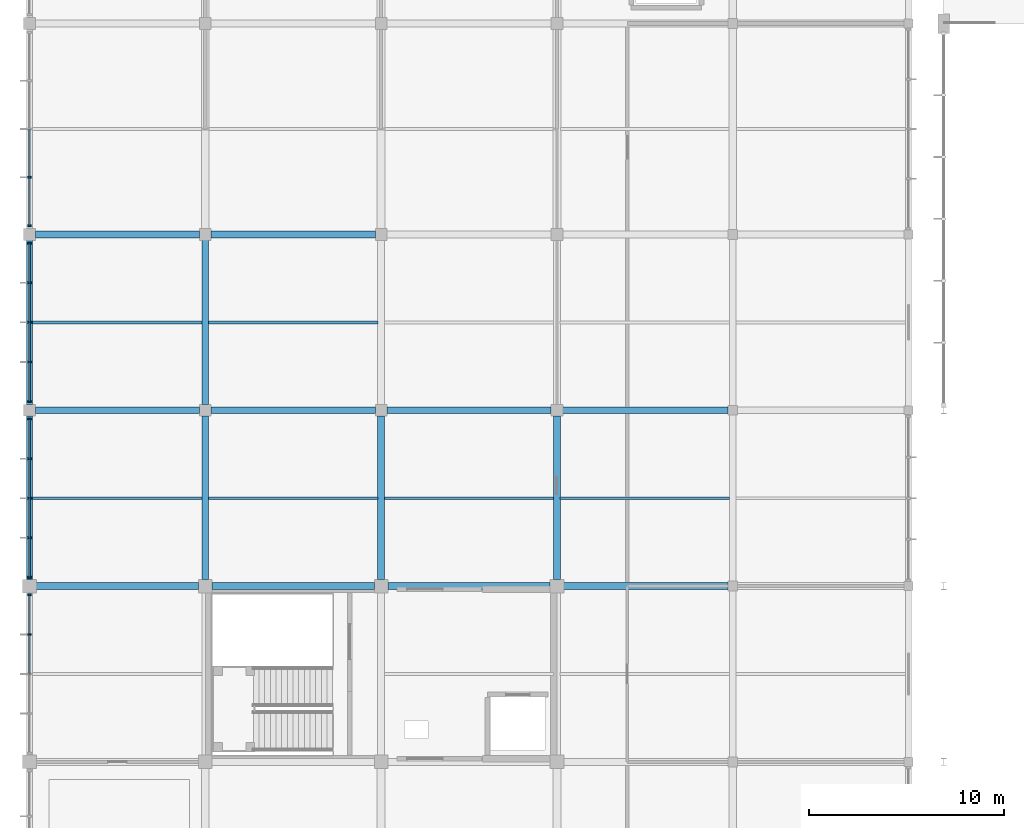
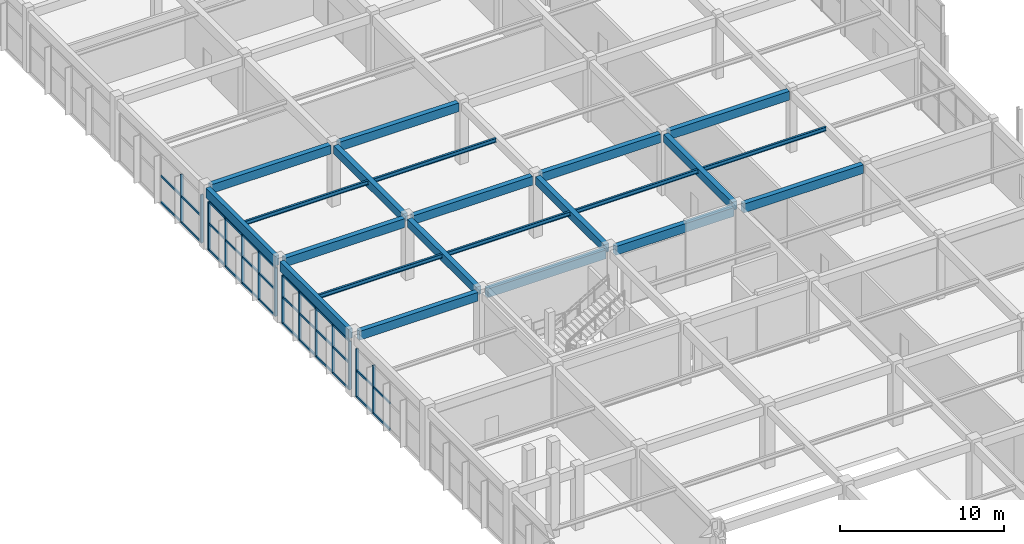
# One storey, part 20 of 74: 40 members, 22 beams, 4 elements without a shape of their own.
"""IFC4 building model written with IfcOpenShell, lengths in metres."""

from ifc_helpers import new_model, si_unit, direction, frame, origin, origin_2d, place, context, subcontext, project, spatial, rectangle, i_section, extrude, material, material_profile, profile_set, type_object, element, aggregate, save


model = new_model("IFC4")

# Units and contexts
model_context = context("Model", 3, precision=1e-05, world=origin(), true_north=direction((0.0, 1.0)))
body_context = subcontext(model_context, "Body", "Model", "MODEL_VIEW")
ifc_project = project(units=[si_unit("LENGTHUNIT", "METRE"), si_unit("AREAUNIT", "SQUARE_METRE"), si_unit("VOLUMEUNIT", "CUBIC_METRE"), si_unit("PLANEANGLEUNIT", "RADIAN"), si_unit("MASSUNIT", "GRAM", prefix="KILO")], contexts=[model_context])

# Site, building, storey
site_placement = place(None, origin())
site = spatial("IfcSite", under=ifc_project, at=site_placement, CompositionType="ELEMENT")
building_placement = place(site_placement, origin())
building = spatial("IfcBuilding", under=site, at=building_placement, Name="Suirenkawa Promenade Aquatics Centre", CompositionType="ELEMENT")
storey_placement = place(building_placement, frame((0.0, 0.0, 4.800048828125)))
storey = spatial("IfcBuildingStorey", under=building, at=storey_placement, Name="L01", CompositionType="ELEMENT", Elevation=4.800048828125)

# Beams
ifc_material_1 = material(Name="Steel IS 2062 E350 (Grade 350)", Category="steel")
ifc_material_profile_1 = material_profile(ifc_material_1, i_section(OverallWidth=0.139892578125, OverallDepth=0.300048828125, WebThickness=0.008056640625, FlangeThickness=0.012939453125, at=origin_2d()), Name="ISMB 300", Category="steel")
ifc_profile_set_1 = profile_set([ifc_material_profile_1], Name="Steel IS 2062 E350 (Grade 350)")
beam_type_1 = type_object("IfcBeamType", Name="BT-JOIST-ISMB300", PredefinedType="JOIST", material=ifc_profile_set_1)
for number, where, z_axis, x_axis, name in (
    (1, (0.14404296875, 72.89990234375, 4.387939453125), (1.0, 0.0, 0.0), (0.0, 1.0, 0.0), "Secondary floor joist JS-02 BM-0527"),
    (2, (0.14404296875, 81.89990234375, 4.387939453125), (1.0, 0.0, 0.0), (0.0, 1.0, 0.0), "Secondary floor joist JS-02 BM-0528"),
):
    element("IfcBeam", number, at=place(storey_placement, frame(where, z_axis=z_axis, x_axis=x_axis)), inside=storey, type_object=beam_type_1, Name=name, PredefinedType="JOIST", context=body_context, shape_type="SweptSolid", body=[
        extrude(i_section(OverallWidth=0.139892578125, OverallDepth=0.300048828125, WebThickness=0.008056640625, FlangeThickness=0.012939453125, at=origin_2d()), origin(), (0.0, 0.0, 1.0), 8.68701171875),
    ])
for number, where, z_axis, x_axis, name in (
    (3, (9.1689453125, 72.89990234375, 4.387939453125), (1.0, 0.0, 0.0), (0.0, 1.0, 0.0), "Secondary floor joist JS-02 BM-0537"),
    (4, (9.1689453125, 81.89990234375, 4.387939453125), (1.0, 0.0, 0.0), (0.0, 1.0, 0.0), "Secondary floor joist JS-02 BM-0538"),
    (5, (18.1689453125, 72.89990234375, 4.387939453125), (1.0, 0.0, 0.0), (0.0, 1.0, 0.0), "Secondary floor joist JS-02 BM-0549"),
    (6, (27.1689453125, 72.89990234375, 4.387939453125), (1.0, 0.0, 0.0), (0.0, 1.0, 0.0), "Secondary floor joist JS-02 BM-0561"),
):
    element("IfcBeam", number, at=place(storey_placement, frame(where, z_axis=z_axis, x_axis=x_axis)), inside=storey, type_object=beam_type_1, Name=name, PredefinedType="JOIST", context=body_context, shape_type="SweptSolid", body=[
        extrude(i_section(OverallWidth=0.139892578125, OverallDepth=0.300048828125, WebThickness=0.008056640625, FlangeThickness=0.012939453125, at=origin_2d()), origin(), (0.0, 0.0, 1.0), 8.662109375),
    ])
ifc_material_2 = material(Name="Concrete M35", Category="concrete")
ifc_material_profile_2 = material_profile(ifc_material_2, rectangle(XDim=0.35009765625, YDim=0.60009765625, at=origin_2d()), Name="RC BM 350x600", Category="concrete")
ifc_profile_set_2 = profile_set([ifc_material_profile_2], Name="Concrete M35")
beam_type_2 = type_object("IfcBeamType", Name="BT-RC-350x600", PredefinedType="BEAM", material=ifc_profile_set_2)
beam_1_placement = place(storey_placement, frame((9.0, 68.743896484375, 4.239990234375), z_axis=(0.0, 1.0, 0.0), x_axis=(-1.0, 0.0, 0.0)))
element("IfcBeam", 7, at=beam_1_placement, inside=storey, type_object=beam_type_2, Name="Floor beam BM-02 BM-0469", PredefinedType="BEAM", context=body_context, shape_type="SweptSolid", body=[
    extrude(rectangle(XDim=0.35009765625, YDim=0.60009765625, at=origin_2d()), origin(), (0.0, 0.0, 1.0), 8.362060546875),
])
beam_2_placement = place(storey_placement, frame((9.0, 77.694091796875, 4.239990234375), z_axis=(0.0, 1.0, 0.0), x_axis=(-1.0, 0.0, 0.0)))
element("IfcBeam", 8, at=beam_2_placement, inside=storey, type_object=beam_type_2, Name="Floor beam BM-02 BM-0470", PredefinedType="BEAM", context=body_context, shape_type="SweptSolid", body=[
    extrude(rectangle(XDim=0.35009765625, YDim=0.60009765625, at=origin_2d()), origin(), (0.0, 0.0, 1.0), 8.411865234375),
])
for number, where, z_axis, x_axis, name in (
    (9, (18.0, 68.743896484375, 4.239990234375), (0.0, 1.0, 0.0), (-1.0, 0.0, 0.0), "Floor beam BM-02 BM-0481"),
    (10, (27.0, 68.743896484375, 4.239990234375), (0.0, 1.0, 0.0), (-1.0, 0.0, 0.0), "Floor beam BM-02 BM-0493"),
):
    element("IfcBeam", number, at=place(storey_placement, frame(where, z_axis=z_axis, x_axis=x_axis)), inside=storey, type_object=beam_type_2, Name=name, PredefinedType="BEAM", context=body_context, shape_type="SweptSolid", body=[
        extrude(rectangle(XDim=0.35009765625, YDim=0.60009765625, at=origin_2d()), origin(), (0.0, 0.0, 1.0), 8.362060546875),
    ])
ifc_material_profile_3 = material_profile(ifc_material_2, rectangle(XDim=0.35009765625, YDim=0.64990234375, at=origin_2d()), Name="RC BM 350x650", Category="concrete")
ifc_profile_set_3 = profile_set([ifc_material_profile_3], Name="Concrete M35")
beam_type_3 = type_object("IfcBeamType", Name="BT-RC-350x650", PredefinedType="BEAM", material=ifc_profile_set_3)
for number, where, z_axis, x_axis, name in (
    (11, (0.343994140625, 68.39990234375, 4.21484375), (1.0, 0.0, 0.0), (0.0, 1.0, 0.0), "Floor beam BM-03 BM-0420"),
    (12, (9.343994140625, 68.39990234375, 4.21484375), (1.0, 0.0, 0.0), (0.0, 1.0, 0.0), "Floor beam BM-03 BM-0421"),
    (13, (18.343994140625, 68.39990234375, 4.21484375), (1.0, 0.0, 0.0), (0.0, 1.0, 0.0), "Floor beam BM-03 BM-0422"),
):
    element("IfcBeam", number, at=place(storey_placement, frame(where, z_axis=z_axis, x_axis=x_axis)), inside=storey, type_object=beam_type_3, Name=name, PredefinedType="BEAM", context=body_context, shape_type="SweptSolid", body=[
        extrude(rectangle(XDim=0.35009765625, YDim=0.64990234375, at=origin_2d()), origin(), (0.0, 0.0, 1.0), 8.31201171875),
    ])
for number, where, z_axis, x_axis, name in (
    (14, (27.343994140625, 68.39990234375, 4.21484375), (1.0, 0.0, 0.0), (0.0, 1.0, 0.0), "Floor beam BM-03 BM-0423"),
    (15, (0.2939453125, 77.39990234375, 4.21484375), (1.0, 0.0, 0.0), (0.0, 1.0, 0.0), "Floor beam BM-03 BM-0425"),
    (16, (9.2939453125, 77.39990234375, 4.21484375), (1.0, 0.0, 0.0), (0.0, 1.0, 0.0), "Floor beam BM-03 BM-0426"),
    (17, (18.2939453125, 77.39990234375, 4.21484375), (1.0, 0.0, 0.0), (0.0, 1.0, 0.0), "Floor beam BM-03 BM-0427"),
):
    element("IfcBeam", number, at=place(storey_placement, frame(where, z_axis=z_axis, x_axis=x_axis)), inside=storey, type_object=beam_type_3, Name=name, PredefinedType="BEAM", context=body_context, shape_type="SweptSolid", body=[
        extrude(rectangle(XDim=0.35009765625, YDim=0.64990234375, at=origin_2d()), origin(), (0.0, 0.0, 1.0), 8.412109375),
    ])
beam_3_placement = place(storey_placement, frame((27.2939453125, 77.39990234375, 4.21484375), z_axis=(1.0, 0.0, 0.0), x_axis=(0.0, 1.0, 0.0)))
element("IfcBeam", 18, at=beam_3_placement, inside=storey, type_object=beam_type_3, Name="Floor beam BM-03 BM-0428", PredefinedType="BEAM", context=body_context, shape_type="SweptSolid", body=[
    extrude(rectangle(XDim=0.35009765625, YDim=0.64990234375, at=origin_2d()), origin(), (0.0, 0.0, 1.0), 8.462158203125),
])
for number, where, z_axis, x_axis, name in (
    (19, (0.2939453125, 86.39990234375, 4.21484375), (1.0, 0.0, 0.0), (0.0, 1.0, 0.0), "Floor beam BM-03 BM-0430"),
    (20, (9.2939453125, 86.39990234375, 4.21484375), (1.0, 0.0, 0.0), (0.0, 1.0, 0.0), "Floor beam BM-03 BM-0431"),
):
    element("IfcBeam", number, at=place(storey_placement, frame(where, z_axis=z_axis, x_axis=x_axis)), inside=storey, type_object=beam_type_3, Name=name, PredefinedType="BEAM", context=body_context, shape_type="SweptSolid", body=[
        extrude(rectangle(XDim=0.35009765625, YDim=0.64990234375, at=origin_2d()), origin(), (0.0, 0.0, 1.0), 8.412109375),
    ])
ifc_material_3 = material(Name="Concrete M40", Category="concrete")
ifc_material_profile_4 = material_profile(ifc_material_3, rectangle(XDim=0.300048828125, YDim=0.699951171875, at=origin_2d()), Name="RC SPANDREL 300x700", Category="concrete")
ifc_profile_set_4 = profile_set([ifc_material_profile_4], Name="Concrete M40")
beam_type_4 = type_object("IfcBeamType", Name="BT-SPANDREL-300x700", PredefinedType="SPANDREL", material=ifc_profile_set_4)
beam_4_placement = place(storey_placement, frame((0.0, 68.743896484375, 4.18994140625), z_axis=(0.0, 1.0, 0.0), x_axis=(-1.0, 0.0, 0.0)))
element("IfcBeam", 21, at=beam_4_placement, inside=storey, type_object=beam_type_4, Name="Floor beam SP-01 BM-0457", PredefinedType="SPANDREL", context=body_context, shape_type="SweptSolid", body=[
    extrude(rectangle(XDim=0.300048828125, YDim=0.699951171875, at=origin_2d()), origin(), (0.0, 0.0, 1.0), 8.362060546875),
])
beam_5_placement = place(storey_placement, frame((0.0, 77.694091796875, 4.18994140625), z_axis=(0.0, 1.0, 0.0), x_axis=(-1.0, 0.0, 0.0)))
element("IfcBeam", 22, at=beam_5_placement, inside=storey, type_object=beam_type_4, Name="Floor beam SP-01 BM-0458", PredefinedType="SPANDREL", context=body_context, shape_type="SweptSolid", body=[
    extrude(rectangle(XDim=0.300048828125, YDim=0.699951171875, at=origin_2d()), origin(), (0.0, 0.0, 1.0), 8.411865234375),
])

# Curtain wall, members
ifc_material_4 = material(Name="Anodised aluminium 6063-T6", Category="aluminium")
curtain_wall_type_1 = type_object("IfcCurtainWallType", Name="CWAT-V5WL01-49", PredefinedType="NOTDEFINED", material=ifc_material_4)
curtain_wall_1_placement = place(storey_placement, origin())
curtain_wall_1 = element("IfcCurtainWall", 23, at=curtain_wall_1_placement, inside=storey, type_object=curtain_wall_type_1, Name="Curtain wall CWA-49 CW-104", PredefinedType="NOTDEFINED")
ifc_material_profile_5 = material_profile(ifc_material_4, rectangle(XDim=0.094970703125, YDim=0.18994140625, at=origin_2d()), Name="ALU MULL 95x190", Category="aluminium")
ifc_profile_set_5 = profile_set([ifc_material_profile_5], Name="Anodised aluminium 6063-T6")
member_type_1 = type_object("IfcMemberType", Name="CWM-190x95", PredefinedType="MULLION", material=ifc_profile_set_5)
member_1_placement = place(storey_placement, frame((0.0, 65.925537109375, 0.0), z_axis=(0.0, 0.0, 1.0), x_axis=(0.0, 1.0, 0.0)))
member_1 = element("IfcMember", 24, at=member_1_placement, type_object=member_type_1, Name="Mullion ML-02 CWM-02080", PredefinedType="MULLION", context=body_context, shape_type="SweptSolid", body=[
    extrude(rectangle(XDim=0.094970703125, YDim=0.18994140625, at=origin_2d()), origin(), (0.0, 0.0, 1.0), 3.570068359375),
])
member_2_placement = place(storey_placement, frame((0.0, 67.950927734375, 0.0), z_axis=(0.0, 0.0, 1.0), x_axis=(0.0, 1.0, 0.0)))
member_2 = element("IfcMember", 25, at=member_2_placement, type_object=member_type_1, Name="Mullion ML-02 CWM-02081", PredefinedType="MULLION", context=body_context, shape_type="SweptSolid", body=[
    extrude(rectangle(XDim=0.094970703125, YDim=0.18994140625, at=origin_2d()), origin(), (0.0, 0.0, 1.0), 3.570068359375),
])

curtain_wall_2_placement = place(storey_placement, origin())
curtain_wall_2 = element("IfcCurtainWall", 26, at=curtain_wall_2_placement, inside=storey, type_object=curtain_wall_type_1, Name="Curtain wall CWA-49 CW-105", PredefinedType="NOTDEFINED")
member_3_placement = place(storey_placement, frame((0.0, 68.84912109375, 0.0), z_axis=(0.0, 0.0, 1.0), x_axis=(0.0, 1.0, 0.0)))
member_3 = element("IfcMember", 27, at=member_3_placement, type_object=member_type_1, Name="Mullion ML-02 CWM-02099", PredefinedType="MULLION", context=body_context, shape_type="SweptSolid", body=[
    extrude(rectangle(XDim=0.094970703125, YDim=0.18994140625, at=origin_2d()), origin(), (0.0, 0.0, 1.0), 3.570068359375),
])
member_4_placement = place(storey_placement, frame((0.0, 70.87451171875, 0.0), z_axis=(0.0, 0.0, 1.0), x_axis=(0.0, 1.0, 0.0)))
member_4 = element("IfcMember", 28, at=member_4_placement, type_object=member_type_1, Name="Mullion ML-02 CWM-02100", PredefinedType="MULLION", context=body_context, shape_type="SweptSolid", body=[
    extrude(rectangle(XDim=0.094970703125, YDim=0.18994140625, at=origin_2d()), origin(), (0.0, 0.0, 1.0), 3.570068359375),
])
member_5_placement = place(storey_placement, frame((0.0, 72.89990234375, 0.0), z_axis=(0.0, 0.0, 1.0), x_axis=(0.0, 1.0, 0.0)))
member_5 = element("IfcMember", 29, at=member_5_placement, type_object=member_type_1, Name="Mullion ML-02 CWM-02101", PredefinedType="MULLION", context=body_context, shape_type="SweptSolid", body=[
    extrude(rectangle(XDim=0.094970703125, YDim=0.18994140625, at=origin_2d()), origin(), (0.0, 0.0, 1.0), 3.570068359375),
])
member_6_placement = place(storey_placement, frame((0.0, 74.925537109375, 0.0), z_axis=(0.0, 0.0, 1.0), x_axis=(0.0, 1.0, 0.0)))
member_6 = element("IfcMember", 30, at=member_6_placement, type_object=member_type_1, Name="Mullion ML-02 CWM-02102", PredefinedType="MULLION", context=body_context, shape_type="SweptSolid", body=[
    extrude(rectangle(XDim=0.094970703125, YDim=0.18994140625, at=origin_2d()), origin(), (0.0, 0.0, 1.0), 3.570068359375),
])
member_7_placement = place(storey_placement, frame((0.0, 76.950927734375, 0.0), z_axis=(0.0, 0.0, 1.0), x_axis=(0.0, 1.0, 0.0)))
member_7 = element("IfcMember", 31, at=member_7_placement, type_object=member_type_1, Name="Mullion ML-02 CWM-02103", PredefinedType="MULLION", context=body_context, shape_type="SweptSolid", body=[
    extrude(rectangle(XDim=0.094970703125, YDim=0.18994140625, at=origin_2d()), origin(), (0.0, 0.0, 1.0), 3.570068359375),
])

curtain_wall_3_placement = place(storey_placement, origin())
curtain_wall_3 = element("IfcCurtainWall", 32, at=curtain_wall_3_placement, inside=storey, type_object=curtain_wall_type_1, Name="Curtain wall CWA-49 CW-107", PredefinedType="NOTDEFINED")
member_8_placement = place(storey_placement, frame((0.0, 77.84912109375, 0.0), z_axis=(0.0, 0.0, 1.0), x_axis=(0.0, 1.0, 0.0)))
member_8 = element("IfcMember", 33, at=member_8_placement, type_object=member_type_1, Name="Mullion ML-02 CWM-02143", PredefinedType="MULLION", context=body_context, shape_type="SweptSolid", body=[
    extrude(rectangle(XDim=0.094970703125, YDim=0.18994140625, at=origin_2d()), origin(), (0.0, 0.0, 1.0), 3.570068359375),
])
member_9_placement = place(storey_placement, frame((0.0, 79.87451171875, 0.0), z_axis=(0.0, 0.0, 1.0), x_axis=(0.0, 1.0, 0.0)))
member_9 = element("IfcMember", 34, at=member_9_placement, type_object=member_type_1, Name="Mullion ML-02 CWM-02144", PredefinedType="MULLION", context=body_context, shape_type="SweptSolid", body=[
    extrude(rectangle(XDim=0.094970703125, YDim=0.18994140625, at=origin_2d()), origin(), (0.0, 0.0, 1.0), 3.570068359375),
])
member_10_placement = place(storey_placement, frame((0.0, 81.89990234375, 0.0), z_axis=(0.0, 0.0, 1.0), x_axis=(0.0, 1.0, 0.0)))
member_10 = element("IfcMember", 35, at=member_10_placement, type_object=member_type_1, Name="Mullion ML-02 CWM-02145", PredefinedType="MULLION", context=body_context, shape_type="SweptSolid", body=[
    extrude(rectangle(XDim=0.094970703125, YDim=0.18994140625, at=origin_2d()), origin(), (0.0, 0.0, 1.0), 3.570068359375),
])
member_11_placement = place(storey_placement, frame((0.0, 83.925537109375, 0.0), z_axis=(0.0, 0.0, 1.0), x_axis=(0.0, 1.0, 0.0)))
member_11 = element("IfcMember", 36, at=member_11_placement, type_object=member_type_1, Name="Mullion ML-02 CWM-02146", PredefinedType="MULLION", context=body_context, shape_type="SweptSolid", body=[
    extrude(rectangle(XDim=0.094970703125, YDim=0.18994140625, at=origin_2d()), origin(), (0.0, 0.0, 1.0), 3.570068359375),
])
member_12_placement = place(storey_placement, frame((0.0, 85.950927734375, 0.0), z_axis=(0.0, 0.0, 1.0), x_axis=(0.0, 1.0, 0.0)))
member_12 = element("IfcMember", 37, at=member_12_placement, type_object=member_type_1, Name="Mullion ML-02 CWM-02147", PredefinedType="MULLION", context=body_context, shape_type="SweptSolid", body=[
    extrude(rectangle(XDim=0.094970703125, YDim=0.18994140625, at=origin_2d()), origin(), (0.0, 0.0, 1.0), 3.570068359375),
])

curtain_wall_type_2 = type_object("IfcCurtainWallType", Name="CWAT-V5WL01-52", PredefinedType="NOTDEFINED", material=ifc_material_4)
curtain_wall_4_placement = place(storey_placement, origin())
curtain_wall_4 = element("IfcCurtainWall", 38, at=curtain_wall_4_placement, inside=storey, type_object=curtain_wall_type_2, Name="Curtain wall CWA-52 CW-108", PredefinedType="NOTDEFINED")
member_13_placement = place(storey_placement, frame((0.0, 86.84912109375, 0.0), z_axis=(0.0, 0.0, 1.0), x_axis=(0.0, 1.0, 0.0)))
member_13 = element("IfcMember", 39, at=member_13_placement, type_object=member_type_1, Name="Mullion ML-02 CWM-02165", PredefinedType="MULLION", context=body_context, shape_type="SweptSolid", body=[
    extrude(rectangle(XDim=0.094970703125, YDim=0.18994140625, at=origin_2d()), origin(), (0.0, 0.0, 1.0), 3.570068359375),
])
member_14_placement = place(storey_placement, frame((0.0, 89.324462890625, 0.0), z_axis=(0.0, 0.0, 1.0), x_axis=(0.0, 1.0, 0.0)))
member_14 = element("IfcMember", 40, at=member_14_placement, type_object=member_type_1, Name="Mullion ML-02 CWM-02166", PredefinedType="MULLION", context=body_context, shape_type="SweptSolid", body=[
    extrude(rectangle(XDim=0.094970703125, YDim=0.18994140625, at=origin_2d()), origin(), (0.0, 0.0, 1.0), 3.570068359375),
])

# Member
ifc_material_profile_6 = material_profile(ifc_material_4, rectangle(XDim=0.094970703125, YDim=0.14990234375, at=origin_2d()), Name="ALU TRAN 95x150", Category="aluminium")
ifc_profile_set_6 = profile_set([ifc_material_profile_6], Name="Anodised aluminium 6063-T6")
member_type_2 = type_object("IfcMemberType", Name="CWT-150x95", PredefinedType="USERDEFINED", material=ifc_profile_set_6)
member_15_placement = place(storey_placement, frame((0.0, 63.89990234375, 0.0), z_axis=(0.0, 1.0, 0.0), x_axis=(-1.0, 0.0, 0.0)))
member_15 = element("IfcMember", 41, at=member_15_placement, type_object=member_type_2, Name="Transom TR-02 CWT-02084", ObjectType="TRANSOM", PredefinedType="USERDEFINED", context=body_context, shape_type="SweptSolid", body=[
    extrude(rectangle(XDim=0.094970703125, YDim=0.14990234375, at=origin_2d()), origin(), (0.0, 0.0, 1.0), 2.025634765625),
])

member_16_placement = place(storey_placement, frame((0.0, 65.925537109375, 0.0), z_axis=(0.0, 1.0, 0.0), x_axis=(-1.0, 0.0, 0.0)))
member_16 = element("IfcMember", 42, at=member_16_placement, type_object=member_type_2, Name="Transom TR-02 CWT-02085", ObjectType="TRANSOM", PredefinedType="USERDEFINED", context=body_context, shape_type="SweptSolid", body=[
    extrude(rectangle(XDim=0.094970703125, YDim=0.14990234375, at=origin_2d()), origin(), (0.0, 0.0, 1.0), 2.025390625),
])

member_17_placement = place(storey_placement, frame((0.0, 63.89990234375, 1.949951171875), z_axis=(0.0, 1.0, 0.0), x_axis=(-1.0, 0.0, 0.0)))
member_17 = element("IfcMember", 43, at=member_17_placement, type_object=member_type_2, Name="Transom TR-02 CWT-02088", ObjectType="TRANSOM", PredefinedType="USERDEFINED", context=body_context, shape_type="SweptSolid", body=[
    extrude(rectangle(XDim=0.094970703125, YDim=0.14990234375, at=origin_2d()), origin(), (0.0, 0.0, 1.0), 2.025634765625),
])

member_18_placement = place(storey_placement, frame((0.0, 65.925537109375, 1.949951171875), z_axis=(0.0, 1.0, 0.0), x_axis=(-1.0, 0.0, 0.0)))
member_18 = element("IfcMember", 44, at=member_18_placement, type_object=member_type_2, Name="Transom TR-02 CWT-02089", ObjectType="TRANSOM", PredefinedType="USERDEFINED", context=body_context, shape_type="SweptSolid", body=[
    extrude(rectangle(XDim=0.094970703125, YDim=0.14990234375, at=origin_2d()), origin(), (0.0, 0.0, 1.0), 2.025390625),
])

aggregate(curtain_wall_1, [member_1, member_2, member_15, member_16, member_17, member_18])

member_19_placement = place(storey_placement, frame((0.0, 68.84912109375, 0.0), z_axis=(0.0, 1.0, 0.0), x_axis=(-1.0, 0.0, 0.0)))
member_19 = element("IfcMember", 45, at=member_19_placement, type_object=member_type_2, Name="Transom TR-02 CWT-02104", ObjectType="TRANSOM", PredefinedType="USERDEFINED", context=body_context, shape_type="SweptSolid", body=[
    extrude(rectangle(XDim=0.094970703125, YDim=0.14990234375, at=origin_2d()), origin(), (0.0, 0.0, 1.0), 2.025390625),
])

member_20_placement = place(storey_placement, frame((0.0, 70.87451171875, 0.0), z_axis=(0.0, 1.0, 0.0), x_axis=(-1.0, 0.0, 0.0)))
member_20 = element("IfcMember", 46, at=member_20_placement, type_object=member_type_2, Name="Transom TR-02 CWT-02105", ObjectType="TRANSOM", PredefinedType="USERDEFINED", context=body_context, shape_type="SweptSolid", body=[
    extrude(rectangle(XDim=0.094970703125, YDim=0.14990234375, at=origin_2d()), origin(), (0.0, 0.0, 1.0), 2.025390625),
])

member_21_placement = place(storey_placement, frame((0.0, 72.89990234375, 0.0), z_axis=(0.0, 1.0, 0.0), x_axis=(-1.0, 0.0, 0.0)))
member_21 = element("IfcMember", 47, at=member_21_placement, type_object=member_type_2, Name="Transom TR-02 CWT-02106", ObjectType="TRANSOM", PredefinedType="USERDEFINED", context=body_context, shape_type="SweptSolid", body=[
    extrude(rectangle(XDim=0.094970703125, YDim=0.14990234375, at=origin_2d()), origin(), (0.0, 0.0, 1.0), 2.025634765625),
])

member_22_placement = place(storey_placement, frame((0.0, 74.925537109375, 0.0), z_axis=(0.0, 1.0, 0.0), x_axis=(-1.0, 0.0, 0.0)))
member_22 = element("IfcMember", 48, at=member_22_placement, type_object=member_type_2, Name="Transom TR-02 CWT-02107", ObjectType="TRANSOM", PredefinedType="USERDEFINED", context=body_context, shape_type="SweptSolid", body=[
    extrude(rectangle(XDim=0.094970703125, YDim=0.14990234375, at=origin_2d()), origin(), (0.0, 0.0, 1.0), 2.025390625),
])

member_23_placement = place(storey_placement, frame((0.0, 68.84912109375, 1.949951171875), z_axis=(0.0, 1.0, 0.0), x_axis=(-1.0, 0.0, 0.0)))
member_23 = element("IfcMember", 49, at=member_23_placement, type_object=member_type_2, Name="Transom TR-02 CWT-02108", ObjectType="TRANSOM", PredefinedType="USERDEFINED", context=body_context, shape_type="SweptSolid", body=[
    extrude(rectangle(XDim=0.094970703125, YDim=0.14990234375, at=origin_2d()), origin(), (0.0, 0.0, 1.0), 2.025390625),
])

member_24_placement = place(storey_placement, frame((0.0, 70.87451171875, 1.949951171875), z_axis=(0.0, 1.0, 0.0), x_axis=(-1.0, 0.0, 0.0)))
member_24 = element("IfcMember", 50, at=member_24_placement, type_object=member_type_2, Name="Transom TR-02 CWT-02109", ObjectType="TRANSOM", PredefinedType="USERDEFINED", context=body_context, shape_type="SweptSolid", body=[
    extrude(rectangle(XDim=0.094970703125, YDim=0.14990234375, at=origin_2d()), origin(), (0.0, 0.0, 1.0), 2.025390625),
])

member_25_placement = place(storey_placement, frame((0.0, 72.89990234375, 1.949951171875), z_axis=(0.0, 1.0, 0.0), x_axis=(-1.0, 0.0, 0.0)))
member_25 = element("IfcMember", 51, at=member_25_placement, type_object=member_type_2, Name="Transom TR-02 CWT-02110", ObjectType="TRANSOM", PredefinedType="USERDEFINED", context=body_context, shape_type="SweptSolid", body=[
    extrude(rectangle(XDim=0.094970703125, YDim=0.14990234375, at=origin_2d()), origin(), (0.0, 0.0, 1.0), 2.025634765625),
])

member_26_placement = place(storey_placement, frame((0.0, 74.925537109375, 1.949951171875), z_axis=(0.0, 1.0, 0.0), x_axis=(-1.0, 0.0, 0.0)))
member_26 = element("IfcMember", 52, at=member_26_placement, type_object=member_type_2, Name="Transom TR-02 CWT-02111", ObjectType="TRANSOM", PredefinedType="USERDEFINED", context=body_context, shape_type="SweptSolid", body=[
    extrude(rectangle(XDim=0.094970703125, YDim=0.14990234375, at=origin_2d()), origin(), (0.0, 0.0, 1.0), 2.025390625),
])

member_27_placement = place(storey_placement, frame((0.0, 68.84912109375, 3.570068359375), z_axis=(0.0, 1.0, 0.0), x_axis=(-1.0, 0.0, 0.0)))
member_27 = element("IfcMember", 53, at=member_27_placement, type_object=member_type_2, Name="Roofline transom TR-02 CWT-02112", ObjectType="TRANSOM", PredefinedType="USERDEFINED", context=body_context, shape_type="SweptSolid", body=[
    extrude(rectangle(XDim=0.094970703125, YDim=0.14990234375, at=origin_2d()), origin(), (0.0, 0.0, 1.0), 8.101806640625),
])

aggregate(curtain_wall_2, [member_3, member_4, member_5, member_6, member_7, member_19, member_20, member_21, member_22, member_23, member_24, member_25, member_26, member_27])

member_28_placement = place(storey_placement, frame((0.0, 77.84912109375, 0.0), z_axis=(0.0, 1.0, 0.0), x_axis=(-1.0, 0.0, 0.0)))
member_28 = element("IfcMember", 54, at=member_28_placement, type_object=member_type_2, Name="Transom TR-02 CWT-02148", ObjectType="TRANSOM", PredefinedType="USERDEFINED", context=body_context, shape_type="SweptSolid", body=[
    extrude(rectangle(XDim=0.094970703125, YDim=0.14990234375, at=origin_2d()), origin(), (0.0, 0.0, 1.0), 2.025390625),
])

member_29_placement = place(storey_placement, frame((0.0, 79.87451171875, 0.0), z_axis=(0.0, 1.0, 0.0), x_axis=(-1.0, 0.0, 0.0)))
member_29 = element("IfcMember", 55, at=member_29_placement, type_object=member_type_2, Name="Transom TR-02 CWT-02149", ObjectType="TRANSOM", PredefinedType="USERDEFINED", context=body_context, shape_type="SweptSolid", body=[
    extrude(rectangle(XDim=0.094970703125, YDim=0.14990234375, at=origin_2d()), origin(), (0.0, 0.0, 1.0), 2.025390625),
])

member_30_placement = place(storey_placement, frame((0.0, 81.89990234375, 0.0), z_axis=(0.0, 1.0, 0.0), x_axis=(-1.0, 0.0, 0.0)))
member_30 = element("IfcMember", 56, at=member_30_placement, type_object=member_type_2, Name="Transom TR-02 CWT-02150", ObjectType="TRANSOM", PredefinedType="USERDEFINED", context=body_context, shape_type="SweptSolid", body=[
    extrude(rectangle(XDim=0.094970703125, YDim=0.14990234375, at=origin_2d()), origin(), (0.0, 0.0, 1.0), 2.025634765625),
])

member_31_placement = place(storey_placement, frame((0.0, 83.925537109375, 0.0), z_axis=(0.0, 1.0, 0.0), x_axis=(-1.0, 0.0, 0.0)))
member_31 = element("IfcMember", 57, at=member_31_placement, type_object=member_type_2, Name="Transom TR-02 CWT-02151", ObjectType="TRANSOM", PredefinedType="USERDEFINED", context=body_context, shape_type="SweptSolid", body=[
    extrude(rectangle(XDim=0.094970703125, YDim=0.14990234375, at=origin_2d()), origin(), (0.0, 0.0, 1.0), 2.025390625),
])

member_32_placement = place(storey_placement, frame((0.0, 77.84912109375, 1.949951171875), z_axis=(0.0, 1.0, 0.0), x_axis=(-1.0, 0.0, 0.0)))
member_32 = element("IfcMember", 58, at=member_32_placement, type_object=member_type_2, Name="Transom TR-02 CWT-02152", ObjectType="TRANSOM", PredefinedType="USERDEFINED", context=body_context, shape_type="SweptSolid", body=[
    extrude(rectangle(XDim=0.094970703125, YDim=0.14990234375, at=origin_2d()), origin(), (0.0, 0.0, 1.0), 2.025390625),
])

member_33_placement = place(storey_placement, frame((0.0, 79.87451171875, 1.949951171875), z_axis=(0.0, 1.0, 0.0), x_axis=(-1.0, 0.0, 0.0)))
member_33 = element("IfcMember", 59, at=member_33_placement, type_object=member_type_2, Name="Transom TR-02 CWT-02153", ObjectType="TRANSOM", PredefinedType="USERDEFINED", context=body_context, shape_type="SweptSolid", body=[
    extrude(rectangle(XDim=0.094970703125, YDim=0.14990234375, at=origin_2d()), origin(), (0.0, 0.0, 1.0), 2.025390625),
])

member_34_placement = place(storey_placement, frame((0.0, 81.89990234375, 1.949951171875), z_axis=(0.0, 1.0, 0.0), x_axis=(-1.0, 0.0, 0.0)))
member_34 = element("IfcMember", 60, at=member_34_placement, type_object=member_type_2, Name="Transom TR-02 CWT-02154", ObjectType="TRANSOM", PredefinedType="USERDEFINED", context=body_context, shape_type="SweptSolid", body=[
    extrude(rectangle(XDim=0.094970703125, YDim=0.14990234375, at=origin_2d()), origin(), (0.0, 0.0, 1.0), 2.025634765625),
])

member_35_placement = place(storey_placement, frame((0.0, 83.925537109375, 1.949951171875), z_axis=(0.0, 1.0, 0.0), x_axis=(-1.0, 0.0, 0.0)))
member_35 = element("IfcMember", 61, at=member_35_placement, type_object=member_type_2, Name="Transom TR-02 CWT-02155", ObjectType="TRANSOM", PredefinedType="USERDEFINED", context=body_context, shape_type="SweptSolid", body=[
    extrude(rectangle(XDim=0.094970703125, YDim=0.14990234375, at=origin_2d()), origin(), (0.0, 0.0, 1.0), 2.025390625),
])

member_36_placement = place(storey_placement, frame((0.0, 77.84912109375, 3.570068359375), z_axis=(0.0, 1.0, 0.0), x_axis=(-1.0, 0.0, 0.0)))
member_36 = element("IfcMember", 62, at=member_36_placement, type_object=member_type_2, Name="Roofline transom TR-02 CWT-02156", ObjectType="TRANSOM", PredefinedType="USERDEFINED", context=body_context, shape_type="SweptSolid", body=[
    extrude(rectangle(XDim=0.094970703125, YDim=0.14990234375, at=origin_2d()), origin(), (0.0, 0.0, 1.0), 8.101806640625),
])

aggregate(curtain_wall_3, [member_8, member_9, member_10, member_11, member_12, member_28, member_29, member_30, member_31, member_32, member_33, member_34, member_35, member_36])

member_37_placement = place(storey_placement, frame((0.0, 86.84912109375, 0.0), z_axis=(0.0, 1.0, 0.0), x_axis=(-1.0, 0.0, 0.0)))
member_37 = element("IfcMember", 63, at=member_37_placement, type_object=member_type_2, Name="Transom TR-02 CWT-02170", ObjectType="TRANSOM", PredefinedType="USERDEFINED", context=body_context, shape_type="SweptSolid", body=[
    extrude(rectangle(XDim=0.094970703125, YDim=0.14990234375, at=origin_2d()), origin(), (0.0, 0.0, 1.0), 2.475341796875),
])

member_38_placement = place(storey_placement, frame((0.0, 89.324462890625, 0.0), z_axis=(0.0, 1.0, 0.0), x_axis=(-1.0, 0.0, 0.0)))
member_38 = element("IfcMember", 64, at=member_38_placement, type_object=member_type_2, Name="Transom TR-02 CWT-02171", ObjectType="TRANSOM", PredefinedType="USERDEFINED", context=body_context, shape_type="SweptSolid", body=[
    extrude(rectangle(XDim=0.094970703125, YDim=0.14990234375, at=origin_2d()), origin(), (0.0, 0.0, 1.0), 2.4755859375),
])

member_39_placement = place(storey_placement, frame((0.0, 86.84912109375, 1.949951171875), z_axis=(0.0, 1.0, 0.0), x_axis=(-1.0, 0.0, 0.0)))
member_39 = element("IfcMember", 65, at=member_39_placement, type_object=member_type_2, Name="Transom TR-02 CWT-02174", ObjectType="TRANSOM", PredefinedType="USERDEFINED", context=body_context, shape_type="SweptSolid", body=[
    extrude(rectangle(XDim=0.094970703125, YDim=0.14990234375, at=origin_2d()), origin(), (0.0, 0.0, 1.0), 2.475341796875),
])

member_40_placement = place(storey_placement, frame((0.0, 89.324462890625, 1.949951171875), z_axis=(0.0, 1.0, 0.0), x_axis=(-1.0, 0.0, 0.0)))
member_40 = element("IfcMember", 66, at=member_40_placement, type_object=member_type_2, Name="Transom TR-02 CWT-02175", ObjectType="TRANSOM", PredefinedType="USERDEFINED", context=body_context, shape_type="SweptSolid", body=[
    extrude(rectangle(XDim=0.094970703125, YDim=0.14990234375, at=origin_2d()), origin(), (0.0, 0.0, 1.0), 2.4755859375),
])

aggregate(curtain_wall_4, [member_13, member_14, member_37, member_38, member_39, member_40])

save(model, "model.ifc")
